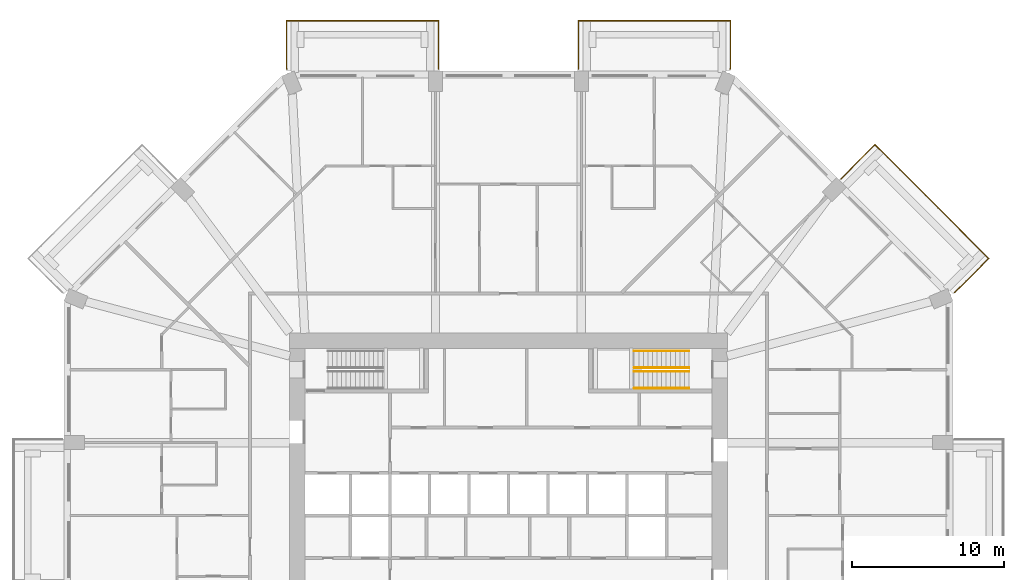
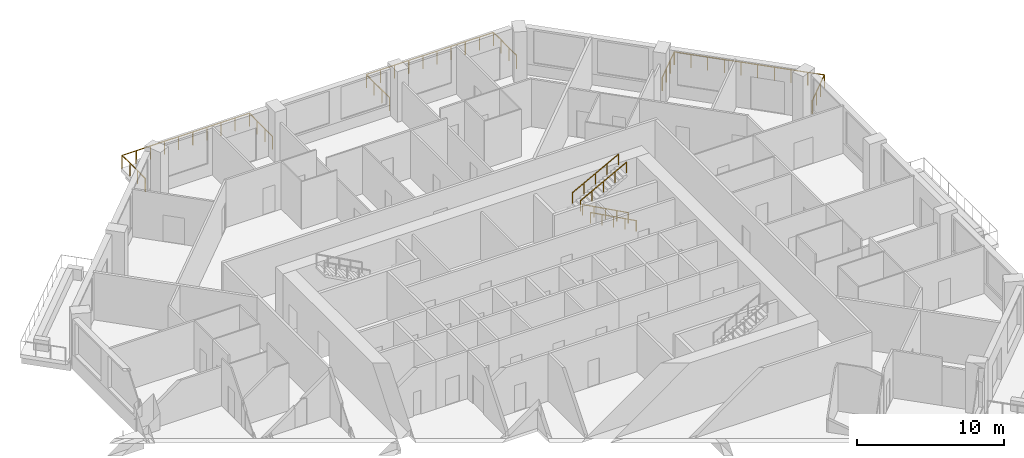
# One storey, part 13 of 13: 7 railings.
"""IFC4 building model written with IfcOpenShell, lengths in metres."""

import ifcopenshell
import ifcopenshell.guid

model = None  # the IFC model being written
_history = None  # IfcOwnerHistory: only IFC2X3 demands one
_inside = {}  # id of a spatial element -> (the spatial element, [elements in it])
_under = {}  # id of a project, library or spatial element -> (it, [spatial elements below it])
_declared = {}  # id of a project -> (the project, [libraries it declares])
_typed = {}  # id of a type object -> (the type object, [elements of that type])
_made_of = {}  # id of a material, layer set ... -> (it, [elements and type objects made of it])


def new_model(schema):
    """Start an empty IFC model of exactly this schema.

    Asked for "IFC4X3", IfcOpenShell would pick the latest addendum, in which some entities
    have other attributes; the version numbers below select the first issue.
    IFC2X3 requires an IfcOwnerHistory on every rooted entity: one is made here for all.
    """
    global model, _history
    if schema == "IFC4X3":
        model = ifcopenshell.file(schema_version=(4, 3, 0, 0))
    else:
        model = ifcopenshell.file(schema=schema)
    _inside.clear()
    _under.clear()
    _declared.clear()
    _typed.clear()
    _made_of.clear()
    _history = None
    if model.schema == "IFC2X3":
        org = make("IfcOrganization", Name="unknown")
        user = make(
            "IfcPersonAndOrganization",
            ThePerson=make("IfcPerson", FamilyName="unknown"),
            TheOrganization=org,
        )
        app = make(
            "IfcApplication",
            ApplicationDeveloper=org,
            Version="unknown",
            ApplicationFullName="unknown",
            ApplicationIdentifier="unknown",
        )
        _history = make(
            "IfcOwnerHistory",
            OwningUser=user,
            OwningApplication=app,
            ChangeAction="ADDED",
            CreationDate=0,
        )
    return model


def make(cls, **values):
    """One entity of the class cls with the attributes given. An attribute that is None is left unset."""
    return model.create_entity(
        cls, **{name: value for name, value in values.items() if value is not None}
    )


def rooted(cls, **values):
    """An entity with a GlobalId (a new one), such as an element, a storey or a relation."""
    return make(cls, GlobalId=ifcopenshell.guid.new(), OwnerHistory=_history, **values)


def si_unit(unit_type, name, prefix=None):
    """IfcSIUnit, for example si_unit("LENGTHUNIT", "METRE", prefix="MILLI")."""
    return make("IfcSIUnit", UnitType=unit_type, Prefix=prefix, Name=name)


def assignment(units):
    """IfcUnitAssignment: the units of a project."""
    return None if units is None else make("IfcUnitAssignment", Units=units)


def point(xyz):
    """IfcCartesianPoint."""
    return None if xyz is None else make("IfcCartesianPoint", Coordinates=xyz)


def direction(xyz):
    """IfcDirection."""
    return None if xyz is None else make("IfcDirection", DirectionRatios=xyz)


def frame(location, z_axis=None, x_axis=None):
    """IfcAxis2Placement3D, a coordinate frame: its origin and axes. An axis left out is left unset."""
    return make(
        "IfcAxis2Placement3D",
        Location=point(location),
        Axis=direction(z_axis),
        RefDirection=direction(x_axis),
    )


def frame_2d(location, x_axis=None):
    """IfcAxis2Placement2D, a coordinate frame in the plane: its origin and x axis."""
    return make(
        "IfcAxis2Placement2D", Location=point(location), RefDirection=direction(x_axis)
    )


def origin():
    """The frame at (0, 0, 0) with its axes left unset."""
    return frame((0.0, 0.0, 0.0))


def origin_2d():
    """The frame at (0, 0) in the plane with its x axis left unset."""
    return frame_2d((0.0, 0.0))


def place(relative_to, where):
    """IfcLocalPlacement: puts the frame where relative to a parent placement (None: the world)."""
    return make(
        "IfcLocalPlacement", PlacementRelTo=relative_to, RelativePlacement=where
    )


def context(
    kind, dimensions, precision=None, world=None, true_north=None, identifier=None
):
    """IfcGeometricRepresentationContext, for example the 3D "Model" context."""
    return make(
        "IfcGeometricRepresentationContext",
        ContextIdentifier=identifier,
        ContextType=kind,
        CoordinateSpaceDimension=dimensions,
        Precision=precision,
        WorldCoordinateSystem=world,
        TrueNorth=true_north,
    )


def subcontext(parent, identifier, kind, view, scale=None):
    """IfcGeometricRepresentationSubContext, for example "Body" below "Model"."""
    return make(
        "IfcGeometricRepresentationSubContext",
        ContextIdentifier=identifier,
        ContextType=kind,
        ParentContext=parent,
        TargetScale=scale,
        TargetView=view,
    )


def project(units=None, contexts=None):
    """IfcProject with its units and contexts."""
    return rooted(
        "IfcProject",
        Name="project",
        RepresentationContexts=contexts,
        UnitsInContext=assignment(units),
    )


def spatial(cls, under=None, at=None, **own):
    """A site, building, storey or space (cls), placed at a placement, below another one or the project."""
    s = rooted(cls, ObjectPlacement=at, **own)
    if under is not None:
        _under.setdefault(under.id(), (under, []))[1].append(s)
    return s


def profile(cls, at=None, kind="AREA", **sizes):
    """A parametric profile (cls). Its sizes go by their IFC names, for example OverallWidth=200.0."""
    return make(cls, ProfileType=kind, Position=at, **sizes)


def circle(**sizes):
    """IfcCircleProfileDef."""
    return profile("IfcCircleProfileDef", **sizes)


def extrude(swept, where, along, depth):
    """IfcExtrudedAreaSolid: the profile swept, set in the frame where, extruded along a direction by depth."""
    return make(
        "IfcExtrudedAreaSolid",
        SweptArea=swept,
        Position=where,
        ExtrudedDirection=direction(along),
        Depth=depth,
    )


def shape(context_of_items, identifier, shape_type, items):
    """IfcShapeRepresentation: the items that make up one representation, for example the "Body"."""
    return make(
        "IfcShapeRepresentation",
        ContextOfItems=context_of_items,
        RepresentationIdentifier=identifier,
        RepresentationType=shape_type,
        Items=items,
    )


def material(Name=None, Category=None):
    """IfcMaterial."""
    return make("IfcMaterial", Name=Name, Category=Category)


def constituent(of_material, Name=None, Category=None, fraction=None):
    """IfcMaterialConstituent: one of the materials an element consists of."""
    return make(
        "IfcMaterialConstituent",
        Name=Name,
        Material=of_material,
        Fraction=fraction,
        Category=Category,
    )


def constituent_set(constituents=None, Name=None):
    """IfcMaterialConstituentSet."""
    return make(
        "IfcMaterialConstituentSet", Name=Name, MaterialConstituents=constituents
    )


def made_of(thing, what):
    """Note that an element or type object is made of a material, layer set ...; save() writes the relation."""
    if what is not None:
        _made_of.setdefault(what.id(), (what, []))[1].append(thing)
    return thing


def type_object(cls, material=None, **own):
    """A type object (cls), such as IfcWallType, which elements share."""
    return made_of(rooted(cls, **own), material)


def element(
    cls,
    number,
    at=None,
    inside=None,
    cuts=None,
    type_object=None,
    material=None,
    context=None,
    identifier="Body",
    shape_type=None,
    held_by="IfcProductDefinitionShape",
    body=None,
    shapes=None,
    **own,
):
    """One element of the class cls, such as IfcWall. Its Tag is "e" and its number.

    at: its placement. inside: the storey or other place that contains it. cuts: it is an
    opening in that element (IfcRelVoidsElement). A single representation is given by context,
    identifier, shape_type and body (its items); several are given by shapes. held_by: the class
    of the entity that holds the representations. save() writes the other relations.
    """
    e = rooted(cls, Tag="e%d" % number, ObjectPlacement=at, **own)
    if body is not None:
        shapes = [shape(context, identifier, shape_type, body)]
    if shapes is not None:
        e.Representation = make(held_by, Representations=shapes)
    if inside is not None:
        _inside.setdefault(inside.id(), (inside, []))[1].append(e)
    if cuts is not None:
        rooted(
            "IfcRelVoidsElement", RelatingBuildingElement=cuts, RelatedOpeningElement=e
        )
    if type_object is not None:
        _typed.setdefault(type_object.id(), (type_object, []))[1].append(e)
    return made_of(e, material)


def aggregate(whole, parts):
    """IfcRelAggregates: a whole, such as a stair, and the parts it consists of."""
    return rooted("IfcRelAggregates", RelatingObject=whole, RelatedObjects=parts)


def save(model, path):
    """Write the relations noted so far, then the file.

    IfcRelAggregates (storeys below a building ...), IfcRelContainedInSpatialStructure (elements
    in a storey), IfcRelDefinesByType, IfcRelAssociatesMaterial and IfcRelDeclares: one each for
    every whole, place, type object, material and project.
    """
    for whole, parts in _under.values():
        aggregate(whole, parts)
    for where, things in _inside.values():
        rooted(
            "IfcRelContainedInSpatialStructure",
            RelatedElements=things,
            RelatingStructure=where,
        )
    for kind, things in _typed.values():
        rooted("IfcRelDefinesByType", RelatedObjects=things, RelatingType=kind)
    for what, things in _made_of.values():
        rooted("IfcRelAssociatesMaterial", RelatedObjects=things, RelatingMaterial=what)
    for by, libraries in _declared.values():
        rooted("IfcRelDeclares", RelatingContext=by, RelatedDefinitions=libraries)
    model.write(path)


model = new_model("IFC4")

# Units and contexts
model_context = context("Model", 3, precision=1e-05, world=origin(), true_north=direction((0.0, 1.0)))
body_context = subcontext(model_context, "Body", "Model", "MODEL_VIEW")
ifc_project = project(units=[si_unit("LENGTHUNIT", "METRE"), si_unit("AREAUNIT", "SQUARE_METRE"), si_unit("VOLUMEUNIT", "CUBIC_METRE"), si_unit("PLANEANGLEUNIT", "RADIAN"), si_unit("MASSUNIT", "GRAM", prefix="KILO")], contexts=[model_context])

# Site, building, storey
site_placement = place(None, origin())
site = spatial("IfcSite", under=ifc_project, at=site_placement, CompositionType="ELEMENT")
building_placement = place(site_placement, origin())
building = spatial("IfcBuilding", under=site, at=building_placement, Name="Msitu Wima Residences", CompositionType="ELEMENT")
storey_placement = place(building_placement, frame((0.0, 0.0, 75.89990234375)))
storey = spatial("IfcBuildingStorey", under=building, at=storey_placement, Name="L17", CompositionType="ELEMENT", Elevation=75.89990234375)

# Railings
ifc_material_1 = material(Name="Steel S355", Category="steel")
ifc_constituent_1 = constituent(ifc_material_1, Name="Steel S355")
ifc_material_2 = material(Name="Weathering patina")
ifc_constituent_2 = constituent(ifc_material_2, Name="Weathering patina")
ifc_constituent_set_1 = constituent_set(constituents=[ifc_constituent_1, ifc_constituent_2], Name="Steel S355")
railing_type_1 = type_object("IfcRailingType", Name="Balcony guard GR1100", PredefinedType="GUARDRAIL", material=ifc_constituent_set_1)
railing_1_placement = place(storey_placement, frame((21.86865234375, 22.151611328125, 0.0)))
element("IfcRailing", 1, at=railing_1_placement, inside=storey, type_object=railing_type_1, Name="Balcony guard NE0 L17", PredefinedType="GUARDRAIL", context=body_context, shape_type="SweptSolid", body=[
    extrude(circle(Radius=0.02392578125, at=origin_2d()), frame((0.0, 0.0, 1.076171875), z_axis=(0.707145287287, 0.707068272989, 0.0), x_axis=(-0.707068272989, 0.707145287287, 0.0)), (0.0, 0.0, 1.0), 3.170166015625),
    extrude(circle(Radius=0.02392578125, at=origin_2d()), frame((2.24169921875, 2.241455078125, 1.076171875), z_axis=(0.70709524572, -0.707118316465, 0.0), x_axis=(0.707118316465, 0.70709524572, 0.0)), (0.0, 0.0, 1.0), 10.582275390625),
    extrude(circle(Radius=0.02392578125, at=origin_2d()), frame((9.724365234375, -5.241455078125, 1.076171875), z_axis=(-0.707106781187, -0.707106781187, 0.0), x_axis=(0.707106781187, -0.707106781187, 0.0)), (0.0, 0.0, 1.0), 3.136474609375),
    extrude(circle(Radius=0.02392578125, at=origin_2d()), frame((7.506591796875, -7.459228515625, 1.076171875), z_axis=(-0.923276184907, -0.384136806859, 0.0), x_axis=(0.384136806859, -0.923276184907, 0.0)), (0.0, 0.0, 1.0), 0.0361328125),
    extrude(circle(Radius=0.02099609375, at=origin_2d()), origin(), (0.0, 0.0, 1.0), 1.052001953125),
    extrude(circle(Radius=0.02099609375, at=origin_2d()), frame((0.747314453125, 0.7470703125, 0.0)), (0.0, 0.0, 1.0), 1.052001953125),
    extrude(circle(Radius=0.02099609375, at=origin_2d()), frame((1.494384765625, 1.494384765625, 0.0)), (0.0, 0.0, 1.0), 1.052001953125),
    extrude(circle(Radius=0.02099609375, at=origin_2d()), frame((2.24169921875, 2.241455078125, 0.0)), (0.0, 0.0, 1.0), 1.052001953125),
    extrude(circle(Radius=0.02099609375, at=origin_2d()), frame((3.072998046875, 1.409912109375, 0.0)), (0.0, 0.0, 1.0), 1.052001953125),
    extrude(circle(Radius=0.02099609375, at=origin_2d()), frame((3.904541015625, 0.57861328125, 0.0)), (0.0, 0.0, 1.0), 1.052001953125),
    extrude(circle(Radius=0.02099609375, at=origin_2d()), frame((4.73583984375, -0.2529296875, 0.0)), (0.0, 0.0, 1.0), 1.052001953125),
    extrude(circle(Radius=0.02099609375, at=origin_2d()), frame((5.5673828125, -1.084228515625, 0.0)), (0.0, 0.0, 1.0), 1.052001953125),
    extrude(circle(Radius=0.02099609375, at=origin_2d()), frame((6.398681640625, -1.915771484375, 0.0)), (0.0, 0.0, 1.0), 1.052001953125),
    extrude(circle(Radius=0.02099609375, at=origin_2d()), frame((7.230224609375, -2.7470703125, 0.0)), (0.0, 0.0, 1.0), 1.052001953125),
    extrude(circle(Radius=0.02099609375, at=origin_2d()), frame((8.0615234375, -3.57861328125, 0.0)), (0.0, 0.0, 1.0), 1.052001953125),
    extrude(circle(Radius=0.02099609375, at=origin_2d()), frame((8.89306640625, -4.409912109375, 0.0)), (0.0, 0.0, 1.0), 1.052001953125),
    extrude(circle(Radius=0.02099609375, at=origin_2d()), frame((9.724365234375, -5.241455078125, 0.0)), (0.0, 0.0, 1.0), 1.052001953125),
    extrude(circle(Radius=0.02099609375, at=origin_2d()), frame((8.985107421875, -5.980712890625, 0.0)), (0.0, 0.0, 1.0), 1.052001953125),
    extrude(circle(Radius=0.02099609375, at=origin_2d()), frame((8.245849609375, -6.719970703125, 0.0)), (0.0, 0.0, 1.0), 1.052001953125),
    extrude(circle(Radius=0.02099609375, at=origin_2d()), frame((7.506591796875, -7.459228515625, 0.0)), (0.0, 0.0, 1.0), 1.052001953125),
    extrude(circle(Radius=0.02099609375, at=origin_2d()), frame((7.47314453125, -7.47314453125, 0.0)), (0.0, 0.0, 1.0), 1.052001953125),
])
railing_2_placement = place(storey_placement, frame((4.60009765625, 29.3798828125, 0.0)))
element("IfcRailing", 2, at=railing_2_placement, inside=storey, type_object=railing_type_1, Name="Balcony guard N0 L17", PredefinedType="GUARDRAIL", context=body_context, shape_type="SweptSolid", body=[
    extrude(circle(Radius=0.02392578125, at=origin_2d()), frame((0.0, 0.0, 1.076171875), z_axis=(0.0, 1.0, 0.0), x_axis=(-1.0, 0.0, 0.0)), (0.0, 0.0, 1.0), 3.170166015625),
    extrude(circle(Radius=0.02392578125, at=origin_2d()), frame((0.0, 3.170166015625, 1.076171875), z_axis=(1.0, 0.0, 0.0), x_axis=(0.0, 1.0, 0.0)), (0.0, 0.0, 1.0), 10.0),
    extrude(circle(Radius=0.02392578125, at=origin_2d()), frame((10.0, 3.170166015625, 1.076171875), z_axis=(0.0, -1.0, 0.0), x_axis=(1.0, 0.0, 0.0)), (0.0, 0.0, 1.0), 3.136474609375),
    extrude(circle(Radius=0.02392578125, at=origin_2d()), frame((10.0, 0.03369140625, 1.076171875), z_axis=(-0.38176015442, -0.92426142649, 0.0), x_axis=(0.92426142649, -0.38176015442, 0.0)), (0.0, 0.0, 1.0), 0.036376953125),
    extrude(circle(Radius=0.02099609375, at=origin_2d()), origin(), (0.0, 0.0, 1.0), 1.052001953125),
    extrude(circle(Radius=0.02099609375, at=origin_2d()), frame((0.0, 1.056640625, 0.0)), (0.0, 0.0, 1.0), 1.052001953125),
    extrude(circle(Radius=0.02099609375, at=origin_2d()), frame((0.0, 2.113525390625, 0.0)), (0.0, 0.0, 1.0), 1.052001953125),
    extrude(circle(Radius=0.02099609375, at=origin_2d()), frame((0.0, 3.170166015625, 0.0)), (0.0, 0.0, 1.0), 1.052001953125),
    extrude(circle(Radius=0.02099609375, at=origin_2d()), frame((1.111083984375, 3.170166015625, 0.0)), (0.0, 0.0, 1.0), 1.052001953125),
    extrude(circle(Radius=0.02099609375, at=origin_2d()), frame((2.22216796875, 3.170166015625, 0.0)), (0.0, 0.0, 1.0), 1.052001953125),
    extrude(circle(Radius=0.02099609375, at=origin_2d()), frame((3.333251953125, 3.170166015625, 0.0)), (0.0, 0.0, 1.0), 1.052001953125),
    extrude(circle(Radius=0.02099609375, at=origin_2d()), frame((4.4443359375, 3.170166015625, 0.0)), (0.0, 0.0, 1.0), 1.052001953125),
    extrude(circle(Radius=0.02099609375, at=origin_2d()), frame((5.5556640625, 3.170166015625, 0.0)), (0.0, 0.0, 1.0), 1.052001953125),
    extrude(circle(Radius=0.02099609375, at=origin_2d()), frame((6.666748046875, 3.170166015625, 0.0)), (0.0, 0.0, 1.0), 1.052001953125),
    extrude(circle(Radius=0.02099609375, at=origin_2d()), frame((7.77783203125, 3.170166015625, 0.0)), (0.0, 0.0, 1.0), 1.052001953125),
    extrude(circle(Radius=0.02099609375, at=origin_2d()), frame((8.888916015625, 3.170166015625, 0.0)), (0.0, 0.0, 1.0), 1.052001953125),
    extrude(circle(Radius=0.02099609375, at=origin_2d()), frame((10.0, 3.170166015625, 0.0)), (0.0, 0.0, 1.0), 1.052001953125),
    extrude(circle(Radius=0.02099609375, at=origin_2d()), frame((10.0, 2.124755859375, 0.0)), (0.0, 0.0, 1.0), 1.052001953125),
    extrude(circle(Radius=0.02099609375, at=origin_2d()), frame((10.0, 1.0791015625, 0.0)), (0.0, 0.0, 1.0), 1.052001953125),
    extrude(circle(Radius=0.02099609375, at=origin_2d()), frame((10.0, 0.03369140625, 0.0)), (0.0, 0.0, 1.0), 1.052001953125),
    extrude(circle(Radius=0.02099609375, at=origin_2d()), frame((9.986083984375, 0.0, 0.0)), (0.0, 0.0, 1.0), 1.052001953125),
])
railing_3_placement = place(storey_placement, frame((-14.586181640625, 29.3798828125, 0.0)))
element("IfcRailing", 3, at=railing_3_placement, inside=storey, type_object=railing_type_1, Name="Balcony guard N2 L17", PredefinedType="GUARDRAIL", context=body_context, shape_type="SweptSolid", body=[
    extrude(circle(Radius=0.02392578125, at=origin_2d()), frame((0.0, 0.0, 1.076171875), z_axis=(-0.38176015442, 0.92426142649, 0.0), x_axis=(-0.92426142649, -0.38176015442, 0.0)), (0.0, 0.0, 1.0), 0.036376953125),
    extrude(circle(Radius=0.02392578125, at=origin_2d()), frame((-0.013916015625, 0.03369140625, 1.076171875), z_axis=(0.0, 1.0, 0.0), x_axis=(-1.0, 0.0, 0.0)), (0.0, 0.0, 1.0), 3.136474609375),
    extrude(circle(Radius=0.02392578125, at=origin_2d()), frame((-0.013916015625, 3.170166015625, 1.076171875), z_axis=(1.0, 0.0, 0.0), x_axis=(0.0, 1.0, 0.0)), (0.0, 0.0, 1.0), 10.0),
    extrude(circle(Radius=0.02392578125, at=origin_2d()), frame((9.986083984375, 3.170166015625, 1.076171875), z_axis=(0.0, -1.0, 0.0), x_axis=(1.0, 0.0, 0.0)), (0.0, 0.0, 1.0), 3.170166015625),
    extrude(circle(Radius=0.02099609375, at=origin_2d()), origin(), (0.0, 0.0, 1.0), 1.052001953125),
    extrude(circle(Radius=0.02099609375, at=origin_2d()), frame((-0.013916015625, 0.03369140625, 0.0)), (0.0, 0.0, 1.0), 1.052001953125),
    extrude(circle(Radius=0.02099609375, at=origin_2d()), frame((-0.013916015625, 1.0791015625, 0.0)), (0.0, 0.0, 1.0), 1.052001953125),
    extrude(circle(Radius=0.02099609375, at=origin_2d()), frame((-0.013916015625, 2.124755859375, 0.0)), (0.0, 0.0, 1.0), 1.052001953125),
    extrude(circle(Radius=0.02099609375, at=origin_2d()), frame((-0.013916015625, 3.170166015625, 0.0)), (0.0, 0.0, 1.0), 1.052001953125),
    extrude(circle(Radius=0.02099609375, at=origin_2d()), frame((1.09716796875, 3.170166015625, 0.0)), (0.0, 0.0, 1.0), 1.052001953125),
    extrude(circle(Radius=0.02099609375, at=origin_2d()), frame((2.208251953125, 3.170166015625, 0.0)), (0.0, 0.0, 1.0), 1.052001953125),
    extrude(circle(Radius=0.02099609375, at=origin_2d()), frame((3.3193359375, 3.170166015625, 0.0)), (0.0, 0.0, 1.0), 1.052001953125),
    extrude(circle(Radius=0.02099609375, at=origin_2d()), frame((4.430419921875, 3.170166015625, 0.0)), (0.0, 0.0, 1.0), 1.052001953125),
    extrude(circle(Radius=0.02099609375, at=origin_2d()), frame((5.541748046875, 3.170166015625, 0.0)), (0.0, 0.0, 1.0), 1.052001953125),
    extrude(circle(Radius=0.02099609375, at=origin_2d()), frame((6.65283203125, 3.170166015625, 0.0)), (0.0, 0.0, 1.0), 1.052001953125),
    extrude(circle(Radius=0.02099609375, at=origin_2d()), frame((7.763916015625, 3.170166015625, 0.0)), (0.0, 0.0, 1.0), 1.052001953125),
    extrude(circle(Radius=0.02099609375, at=origin_2d()), frame((8.875, 3.170166015625, 0.0)), (0.0, 0.0, 1.0), 1.052001953125),
    extrude(circle(Radius=0.02099609375, at=origin_2d()), frame((9.986083984375, 3.170166015625, 0.0)), (0.0, 0.0, 1.0), 1.052001953125),
    extrude(circle(Radius=0.02099609375, at=origin_2d()), frame((9.986083984375, 2.113525390625, 0.0)), (0.0, 0.0, 1.0), 1.052001953125),
    extrude(circle(Radius=0.02099609375, at=origin_2d()), frame((9.986083984375, 1.056640625, 0.0)), (0.0, 0.0, 1.0), 1.052001953125),
    extrude(circle(Radius=0.02099609375, at=origin_2d()), frame((9.986083984375, 0.0, 0.0)), (0.0, 0.0, 1.0), 1.052001953125),
])
ifc_constituent_3 = constituent(ifc_material_1, Name="Steel S355")
ifc_material_3 = material(Name="Black powder coating")
ifc_constituent_4 = constituent(ifc_material_3, Name="Black powder coating")
ifc_constituent_set_2 = constituent_set(constituents=[ifc_constituent_3, ifc_constituent_4], Name="Steel S355")
railing_type_2 = type_object("IfcRailingType", Name="Stair handrail HR1", PredefinedType="HANDRAIL", material=ifc_constituent_set_2)
for number, where, name in (
    (4, (11.875, 8.375, 0.16162109375), "Stair 3 handrail"),
    (5, (11.875, 9.47509765625, 0.16162109375), "Stair 3 handrail"),
):
    element("IfcRailing", number, at=place(storey_placement, frame(where)), inside=storey, type_object=railing_type_2, Name=name, PredefinedType="HANDRAIL", context=body_context, shape_type="SweptSolid", body=[
        extrude(circle(Radius=0.02392578125, at=origin_2d()), frame((0.0, 0.0, 0.8759765625), z_axis=(-0.880474934443, 0.0, 0.474092701714), x_axis=(0.0, -1.0, 0.0)), (0.0, 0.0, 1.0), 4.0888671875),
        extrude(circle(Radius=0.02099609375, at=origin_2d()), origin(), (0.0, 0.0, 1.0), 0.851806640625),
        extrude(circle(Radius=0.02099609375, at=origin_2d()), frame((-0.89990234375, 0.0, 0.484619140625)), (0.0, 0.0, 1.0), 0.851806640625),
        extrude(circle(Radius=0.02099609375, at=origin_2d()), frame((-1.800048828125, 0.0, 0.96923828125)), (0.0, 0.0, 1.0), 0.851806640625),
        extrude(circle(Radius=0.02099609375, at=origin_2d()), frame((-2.7001953125, 0.0, 1.453857421875)), (0.0, 0.0, 1.0), 0.851806640625),
        extrude(circle(Radius=0.02099609375, at=origin_2d()), frame((-3.60009765625, 0.0, 1.9384765625)), (0.0, 0.0, 1.0), 0.851806640625),
    ])
for number, where, name in (
    (6, (8.27490234375, 9.72509765625, 2.26171875), "Stair 3 handrail"),
    (7, (8.27490234375, 10.824951171875, 2.26171875), "Stair 3 handrail"),
):
    element("IfcRailing", number, at=place(storey_placement, frame(where)), inside=storey, type_object=railing_type_2, Name=name, PredefinedType="HANDRAIL", context=body_context, shape_type="SweptSolid", body=[
        extrude(circle(Radius=0.02392578125, at=origin_2d()), frame((0.0, 0.0, 0.8759765625), z_axis=(0.880474934443, 0.0, 0.474092701714), x_axis=(0.0, 1.0, 0.0)), (0.0, 0.0, 1.0), 4.0888671875),
        extrude(circle(Radius=0.02099609375, at=origin_2d()), origin(), (0.0, 0.0, 1.0), 0.851806640625),
        extrude(circle(Radius=0.02099609375, at=origin_2d()), frame((0.89990234375, 0.0, 0.484619140625)), (0.0, 0.0, 1.0), 0.851806640625),
        extrude(circle(Radius=0.02099609375, at=origin_2d()), frame((1.800048828125, 0.0, 0.96923828125)), (0.0, 0.0, 1.0), 0.851806640625),
        extrude(circle(Radius=0.02099609375, at=origin_2d()), frame((2.7001953125, 0.0, 1.453857421875)), (0.0, 0.0, 1.0), 0.851806640625),
        extrude(circle(Radius=0.02099609375, at=origin_2d()), frame((3.60009765625, 0.0, 1.9384765625)), (0.0, 0.0, 1.0), 0.851806640625),
    ])

save(model, "model.ifc")
